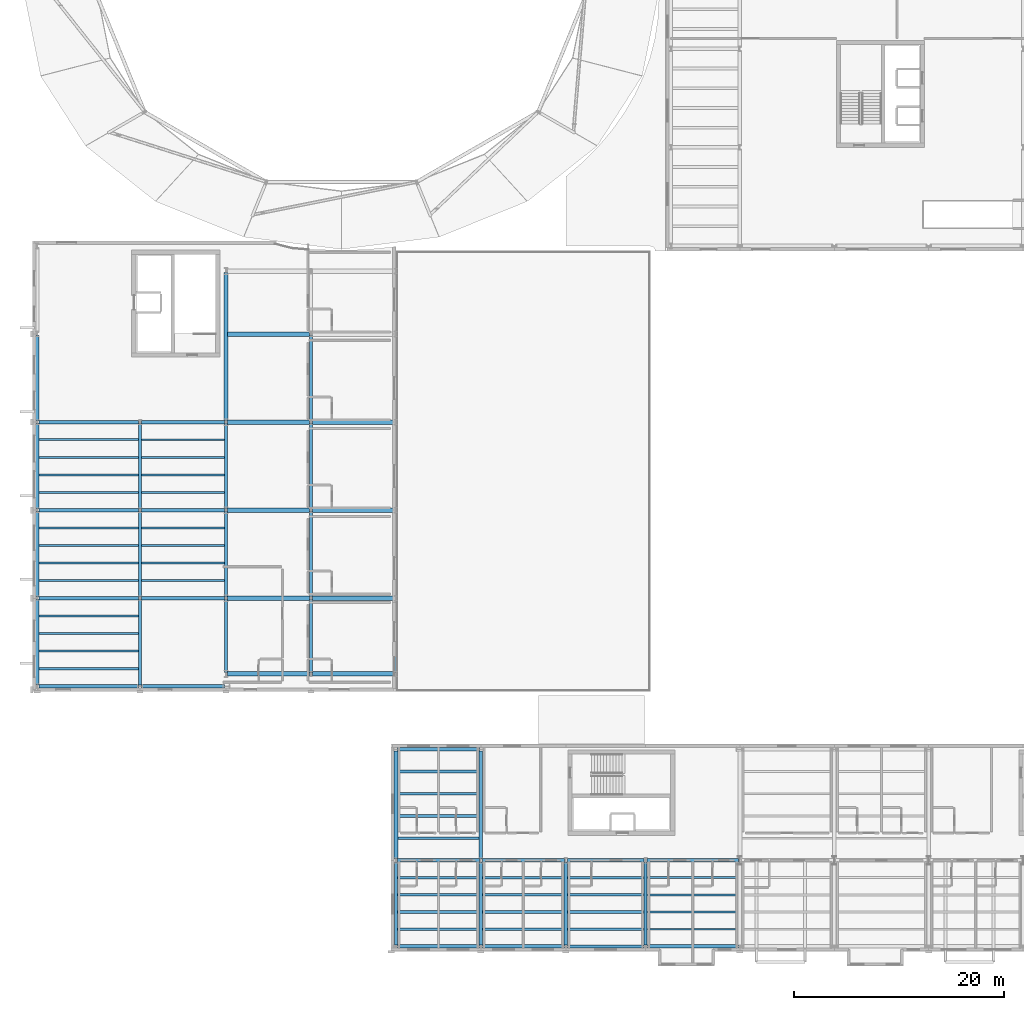
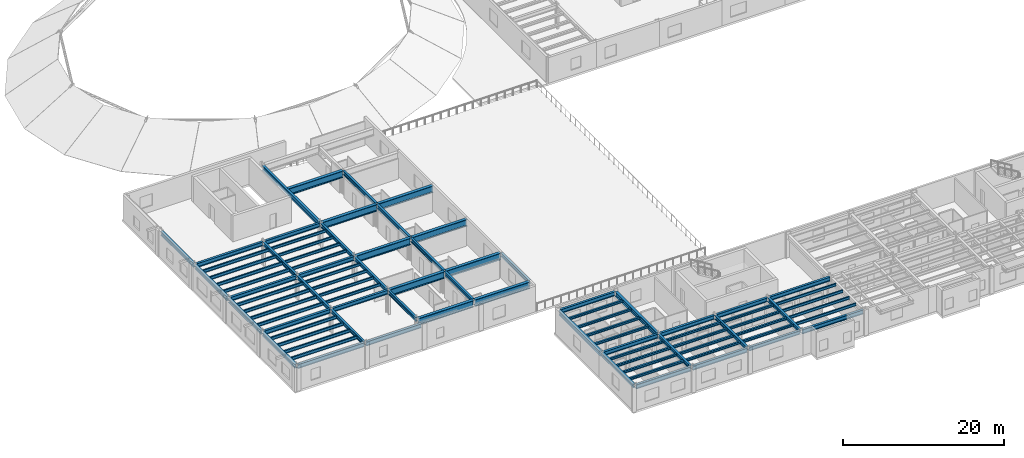
# One storey, part 13 of 59: 88 beams.
"""IFC4 building model written with IfcOpenShell, lengths in metres."""

import ifcopenshell
import ifcopenshell.guid

model = None  # the IFC model being written
_history = None  # IfcOwnerHistory: only IFC2X3 demands one
_inside = {}  # id of a spatial element -> (the spatial element, [elements in it])
_under = {}  # id of a project, library or spatial element -> (it, [spatial elements below it])
_declared = {}  # id of a project -> (the project, [libraries it declares])
_typed = {}  # id of a type object -> (the type object, [elements of that type])
_made_of = {}  # id of a material, layer set ... -> (it, [elements and type objects made of it])


def new_model(schema):
    """Start an empty IFC model of exactly this schema.

    Asked for "IFC4X3", IfcOpenShell would pick the latest addendum, in which some entities
    have other attributes; the version numbers below select the first issue.
    IFC2X3 requires an IfcOwnerHistory on every rooted entity: one is made here for all.
    """
    global model, _history
    if schema == "IFC4X3":
        model = ifcopenshell.file(schema_version=(4, 3, 0, 0))
    else:
        model = ifcopenshell.file(schema=schema)
    _inside.clear()
    _under.clear()
    _declared.clear()
    _typed.clear()
    _made_of.clear()
    _history = None
    if model.schema == "IFC2X3":
        org = make("IfcOrganization", Name="unknown")
        user = make(
            "IfcPersonAndOrganization",
            ThePerson=make("IfcPerson", FamilyName="unknown"),
            TheOrganization=org,
        )
        app = make(
            "IfcApplication",
            ApplicationDeveloper=org,
            Version="unknown",
            ApplicationFullName="unknown",
            ApplicationIdentifier="unknown",
        )
        _history = make(
            "IfcOwnerHistory",
            OwningUser=user,
            OwningApplication=app,
            ChangeAction="ADDED",
            CreationDate=0,
        )
    return model


def make(cls, **values):
    """One entity of the class cls with the attributes given. An attribute that is None is left unset."""
    return model.create_entity(
        cls, **{name: value for name, value in values.items() if value is not None}
    )


def rooted(cls, **values):
    """An entity with a GlobalId (a new one), such as an element, a storey or a relation."""
    return make(cls, GlobalId=ifcopenshell.guid.new(), OwnerHistory=_history, **values)


def si_unit(unit_type, name, prefix=None):
    """IfcSIUnit, for example si_unit("LENGTHUNIT", "METRE", prefix="MILLI")."""
    return make("IfcSIUnit", UnitType=unit_type, Prefix=prefix, Name=name)


def assignment(units):
    """IfcUnitAssignment: the units of a project."""
    return None if units is None else make("IfcUnitAssignment", Units=units)


def point(xyz):
    """IfcCartesianPoint."""
    return None if xyz is None else make("IfcCartesianPoint", Coordinates=xyz)


def direction(xyz):
    """IfcDirection."""
    return None if xyz is None else make("IfcDirection", DirectionRatios=xyz)


def frame(location, z_axis=None, x_axis=None):
    """IfcAxis2Placement3D, a coordinate frame: its origin and axes. An axis left out is left unset."""
    return make(
        "IfcAxis2Placement3D",
        Location=point(location),
        Axis=direction(z_axis),
        RefDirection=direction(x_axis),
    )


def frame_2d(location, x_axis=None):
    """IfcAxis2Placement2D, a coordinate frame in the plane: its origin and x axis."""
    return make(
        "IfcAxis2Placement2D", Location=point(location), RefDirection=direction(x_axis)
    )


def origin():
    """The frame at (0, 0, 0) with its axes left unset."""
    return frame((0.0, 0.0, 0.0))


def origin_2d():
    """The frame at (0, 0) in the plane with its x axis left unset."""
    return frame_2d((0.0, 0.0))


def place(relative_to, where):
    """IfcLocalPlacement: puts the frame where relative to a parent placement (None: the world)."""
    return make(
        "IfcLocalPlacement", PlacementRelTo=relative_to, RelativePlacement=where
    )


def context(
    kind, dimensions, precision=None, world=None, true_north=None, identifier=None
):
    """IfcGeometricRepresentationContext, for example the 3D "Model" context."""
    return make(
        "IfcGeometricRepresentationContext",
        ContextIdentifier=identifier,
        ContextType=kind,
        CoordinateSpaceDimension=dimensions,
        Precision=precision,
        WorldCoordinateSystem=world,
        TrueNorth=true_north,
    )


def subcontext(parent, identifier, kind, view, scale=None):
    """IfcGeometricRepresentationSubContext, for example "Body" below "Model"."""
    return make(
        "IfcGeometricRepresentationSubContext",
        ContextIdentifier=identifier,
        ContextType=kind,
        ParentContext=parent,
        TargetScale=scale,
        TargetView=view,
    )


def project(units=None, contexts=None):
    """IfcProject with its units and contexts."""
    return rooted(
        "IfcProject",
        Name="project",
        RepresentationContexts=contexts,
        UnitsInContext=assignment(units),
    )


def spatial(cls, under=None, at=None, **own):
    """A site, building, storey or space (cls), placed at a placement, below another one or the project."""
    s = rooted(cls, ObjectPlacement=at, **own)
    if under is not None:
        _under.setdefault(under.id(), (under, []))[1].append(s)
    return s


def profile(cls, at=None, kind="AREA", **sizes):
    """A parametric profile (cls). Its sizes go by their IFC names, for example OverallWidth=200.0."""
    return make(cls, ProfileType=kind, Position=at, **sizes)


def i_section(**sizes):
    """IfcIShapeProfileDef."""
    return profile("IfcIShapeProfileDef", **sizes)


def extrude(swept, where, along, depth):
    """IfcExtrudedAreaSolid: the profile swept, set in the frame where, extruded along a direction by depth."""
    return make(
        "IfcExtrudedAreaSolid",
        SweptArea=swept,
        Position=where,
        ExtrudedDirection=direction(along),
        Depth=depth,
    )


def shape(context_of_items, identifier, shape_type, items):
    """IfcShapeRepresentation: the items that make up one representation, for example the "Body"."""
    return make(
        "IfcShapeRepresentation",
        ContextOfItems=context_of_items,
        RepresentationIdentifier=identifier,
        RepresentationType=shape_type,
        Items=items,
    )


def material(Name=None, Category=None):
    """IfcMaterial."""
    return make("IfcMaterial", Name=Name, Category=Category)


def material_profile(
    of_material, cross_section, Name=None, Category=None, Priority=None
):
    """IfcMaterialProfile: a cross section and its material."""
    return make(
        "IfcMaterialProfile",
        Name=Name,
        Material=of_material,
        Profile=cross_section,
        Priority=Priority,
        Category=Category,
    )


def profile_set(profiles, Name=None, composite=None):
    """IfcMaterialProfileSet."""
    return make(
        "IfcMaterialProfileSet",
        Name=Name,
        MaterialProfiles=profiles,
        CompositeProfile=composite,
    )


def made_of(thing, what):
    """Note that an element or type object is made of a material, layer set ...; save() writes the relation."""
    if what is not None:
        _made_of.setdefault(what.id(), (what, []))[1].append(thing)
    return thing


def type_object(cls, material=None, **own):
    """A type object (cls), such as IfcWallType, which elements share."""
    return made_of(rooted(cls, **own), material)


def element(
    cls,
    number,
    at=None,
    inside=None,
    cuts=None,
    type_object=None,
    material=None,
    context=None,
    identifier="Body",
    shape_type=None,
    held_by="IfcProductDefinitionShape",
    body=None,
    shapes=None,
    **own,
):
    """One element of the class cls, such as IfcWall. Its Tag is "e" and its number.

    at: its placement. inside: the storey or other place that contains it. cuts: it is an
    opening in that element (IfcRelVoidsElement). A single representation is given by context,
    identifier, shape_type and body (its items); several are given by shapes. held_by: the class
    of the entity that holds the representations. save() writes the other relations.
    """
    e = rooted(cls, Tag="e%d" % number, ObjectPlacement=at, **own)
    if body is not None:
        shapes = [shape(context, identifier, shape_type, body)]
    if shapes is not None:
        e.Representation = make(held_by, Representations=shapes)
    if inside is not None:
        _inside.setdefault(inside.id(), (inside, []))[1].append(e)
    if cuts is not None:
        rooted(
            "IfcRelVoidsElement", RelatingBuildingElement=cuts, RelatedOpeningElement=e
        )
    if type_object is not None:
        _typed.setdefault(type_object.id(), (type_object, []))[1].append(e)
    return made_of(e, material)


def aggregate(whole, parts):
    """IfcRelAggregates: a whole, such as a stair, and the parts it consists of."""
    return rooted("IfcRelAggregates", RelatingObject=whole, RelatedObjects=parts)


def save(model, path):
    """Write the relations noted so far, then the file.

    IfcRelAggregates (storeys below a building ...), IfcRelContainedInSpatialStructure (elements
    in a storey), IfcRelDefinesByType, IfcRelAssociatesMaterial and IfcRelDeclares: one each for
    every whole, place, type object, material and project.
    """
    for whole, parts in _under.values():
        aggregate(whole, parts)
    for where, things in _inside.values():
        rooted(
            "IfcRelContainedInSpatialStructure",
            RelatedElements=things,
            RelatingStructure=where,
        )
    for kind, things in _typed.values():
        rooted("IfcRelDefinesByType", RelatedObjects=things, RelatingType=kind)
    for what, things in _made_of.values():
        rooted("IfcRelAssociatesMaterial", RelatedObjects=things, RelatingMaterial=what)
    for by, libraries in _declared.values():
        rooted("IfcRelDeclares", RelatingContext=by, RelatedDefinitions=libraries)
    model.write(path)


model = new_model("IFC4")

# Units and contexts
model_context = context("Model", 3, precision=1e-05, world=origin(), true_north=direction((0.0, 1.0)))
body_context = subcontext(model_context, "Body", "Model", "MODEL_VIEW")
ifc_project = project(units=[si_unit("LENGTHUNIT", "METRE"), si_unit("AREAUNIT", "SQUARE_METRE"), si_unit("VOLUMEUNIT", "CUBIC_METRE"), si_unit("PLANEANGLEUNIT", "RADIAN"), si_unit("MASSUNIT", "GRAM", prefix="KILO")], contexts=[model_context])

# Site, building, storey
site_placement = place(None, origin())
site = spatial("IfcSite", under=ifc_project, at=site_placement, CompositionType="ELEMENT")
building_placement = place(site_placement, origin())
building = spatial("IfcBuilding", under=site, at=building_placement, Name="Sollismere Congress Hotel", CompositionType="ELEMENT")
storey_placement = place(building_placement, frame((0.0, 0.0, 15.60009765625)))
storey = spatial("IfcBuildingStorey", under=building, at=storey_placement, Name="L03", CompositionType="ELEMENT", Elevation=15.60009765625)

# Beams
ifc_material = material(Name="Steel ASTM A992 Grade 50", Category="steel")
ifc_material_profile_1 = material_profile(ifc_material, i_section(OverallWidth=0.31494140625, OverallDepth=0.551025390625, WebThickness=0.01513671875, FlangeThickness=0.0244140625, at=origin_2d()), Name="W21X122")
ifc_profile_set_1 = profile_set([ifc_material_profile_1], Name="Steel ASTM A992 Grade 50")
beam_type_1 = type_object("IfcBeamType", Name="BM-G21H", PredefinedType="BEAM", material=ifc_profile_set_1)
beam_1_placement = place(storey_placement, frame((9.800048828125, 24.93994140625, 3.349365234375), z_axis=(0.0, 1.0, 0.0), x_axis=(-1.0, 0.0, 0.0)))
element("IfcBeam", 1, at=beam_1_placement, inside=storey, type_object=beam_type_1, Name="Beam BM-L03-2410", PredefinedType="BEAM", context=body_context, shape_type="SweptSolid", body=[
    extrude(i_section(OverallWidth=0.31494140625, OverallDepth=0.551025390625, WebThickness=0.01513671875, FlangeThickness=0.0244140625, at=origin_2d()), origin(), (0.0, 0.0, 1.0), 8.1201171875),
])
beam_2_placement = place(storey_placement, frame((9.800048828125, 33.340087890625, 3.349365234375), z_axis=(0.0, 1.0, 0.0), x_axis=(-1.0, 0.0, 0.0)))
element("IfcBeam", 2, at=beam_2_placement, inside=storey, type_object=beam_type_1, Name="Beam BM-L03-2411", PredefinedType="BEAM", context=body_context, shape_type="SweptSolid", body=[
    extrude(i_section(OverallWidth=0.31494140625, OverallDepth=0.551025390625, WebThickness=0.01513671875, FlangeThickness=0.0244140625, at=origin_2d()), origin(), (0.0, 0.0, 1.0), 8.119873046875),
])
beam_3_placement = place(storey_placement, frame((9.800048828125, 41.739990234375, 3.349365234375), z_axis=(0.0, 1.0, 0.0), x_axis=(-1.0, 0.0, 0.0)))
element("IfcBeam", 3, at=beam_3_placement, inside=storey, type_object=beam_type_1, Name="Beam BM-L03-2412", PredefinedType="BEAM", context=body_context, shape_type="SweptSolid", body=[
    extrude(i_section(OverallWidth=0.31494140625, OverallDepth=0.551025390625, WebThickness=0.01513671875, FlangeThickness=0.0244140625, at=origin_2d()), origin(), (0.0, 0.0, 1.0), 8.1201171875),
])
beam_4_placement = place(storey_placement, frame((18.0, 26.139892578125, 3.349365234375), z_axis=(0.0, 1.0, 0.0), x_axis=(-1.0, 0.0, 0.0)))
element("IfcBeam", 4, at=beam_4_placement, inside=storey, type_object=beam_type_1, Name="Beam BM-L03-2413", PredefinedType="BEAM", context=body_context, shape_type="SweptSolid", body=[
    extrude(i_section(OverallWidth=0.31494140625, OverallDepth=0.551025390625, WebThickness=0.01513671875, FlangeThickness=0.0244140625, at=origin_2d()), origin(), (0.0, 0.0, 1.0), 6.920166015625),
])
beam_5_placement = place(storey_placement, frame((18.0, 33.340087890625, 3.349365234375), z_axis=(0.0, 1.0, 0.0), x_axis=(-1.0, 0.0, 0.0)))
element("IfcBeam", 5, at=beam_5_placement, inside=storey, type_object=beam_type_1, Name="Beam BM-L03-2414", PredefinedType="BEAM", context=body_context, shape_type="SweptSolid", body=[
    extrude(i_section(OverallWidth=0.31494140625, OverallDepth=0.551025390625, WebThickness=0.01513671875, FlangeThickness=0.0244140625, at=origin_2d()), origin(), (0.0, 0.0, 1.0), 8.119873046875),
])
beam_6_placement = place(storey_placement, frame((18.0, 41.739990234375, 3.349365234375), z_axis=(0.0, 1.0, 0.0), x_axis=(-1.0, 0.0, 0.0)))
element("IfcBeam", 6, at=beam_6_placement, inside=storey, type_object=beam_type_1, Name="Beam BM-L03-2415", PredefinedType="BEAM", context=body_context, shape_type="SweptSolid", body=[
    extrude(i_section(OverallWidth=0.31494140625, OverallDepth=0.551025390625, WebThickness=0.01513671875, FlangeThickness=0.0244140625, at=origin_2d()), origin(), (0.0, 0.0, 1.0), 8.1201171875),
])
for number, where, z_axis, x_axis, name in (
    (7, (34.199951171875, 0.139892578125, 3.349365234375), (0.0, 1.0, 0.0), (-1.0, 0.0, 0.0), "Beam BM-L03-2417"),
    (8, (42.300048828125, 0.139892578125, 3.349365234375), (0.0, 1.0, 0.0), (-1.0, 0.0, 0.0), "Beam BM-L03-2419"),
    (9, (50.39990234375, 0.139892578125, 3.349365234375), (0.0, 1.0, 0.0), (-1.0, 0.0, 0.0), "Beam BM-L03-2421"),
    (10, (58.0, 0.139892578125, 3.349365234375), (0.0, 1.0, 0.0), (-1.0, 0.0, 0.0), "Beam BM-L03-2422"),
):
    element("IfcBeam", number, at=place(storey_placement, frame(where, z_axis=z_axis, x_axis=x_axis)), inside=storey, type_object=beam_type_1, Name=name, PredefinedType="BEAM", context=body_context, shape_type="SweptSolid", body=[
        extrude(i_section(OverallWidth=0.31494140625, OverallDepth=0.551025390625, WebThickness=0.01513671875, FlangeThickness=0.0244140625, at=origin_2d()), origin(), (0.0, 0.0, 1.0), 7.920166015625),
    ])
beam_7_placement = place(storey_placement, frame((26.10009765625, 26.1201171875, 3.349365234375), z_axis=(0.0, 1.0, 0.0), x_axis=(-1.0, 0.0, 0.0)))
element("IfcBeam", 11, at=beam_7_placement, inside=storey, type_object=beam_type_1, Name="Beam BM-L03-4156", PredefinedType="BEAM", context=body_context, shape_type="SweptSolid", body=[
    extrude(i_section(OverallWidth=0.31494140625, OverallDepth=0.551025390625, WebThickness=0.01513671875, FlangeThickness=0.0244140625, at=origin_2d()), origin(), (0.0, 0.0, 1.0), 6.9599609375),
])
for number, where, z_axis, x_axis, name in (
    (12, (26.10009765625, 33.320068359375, 3.349365234375), (0.0, 1.0, 0.0), (-1.0, 0.0, 0.0), "Beam BM-L03-4157"),
    (13, (26.10009765625, 41.719970703125, 3.349365234375), (0.0, 1.0, 0.0), (-1.0, 0.0, 0.0), "Beam BM-L03-4158"),
    (14, (26.10009765625, 50.1201171875, 3.349365234375), (0.0, 1.0, 0.0), (-1.0, 0.0, 0.0), "Beam BM-L03-4159"),
):
    element("IfcBeam", number, at=place(storey_placement, frame(where, z_axis=z_axis, x_axis=x_axis)), inside=storey, type_object=beam_type_1, Name=name, PredefinedType="BEAM", context=body_context, shape_type="SweptSolid", body=[
        extrude(i_section(OverallWidth=0.31494140625, OverallDepth=0.551025390625, WebThickness=0.01513671875, FlangeThickness=0.0244140625, at=origin_2d()), origin(), (0.0, 0.0, 1.0), 8.159912109375),
    ])
beam_8_placement = place(storey_placement, frame((34.199951171875, 26.1201171875, 3.349365234375), z_axis=(0.0, 1.0, 0.0), x_axis=(-1.0, 0.0, 0.0)))
element("IfcBeam", 15, at=beam_8_placement, inside=storey, type_object=beam_type_1, Name="Beam BM-L03-4161", PredefinedType="BEAM", context=body_context, shape_type="SweptSolid", body=[
    extrude(i_section(OverallWidth=0.31494140625, OverallDepth=0.551025390625, WebThickness=0.01513671875, FlangeThickness=0.0244140625, at=origin_2d()), origin(), (0.0, 0.0, 1.0), 6.9599609375),
])
ifc_material_profile_2 = material_profile(ifc_material, i_section(OverallWidth=0.324951171875, OverallDepth=0.612060546875, WebThickness=0.0126953125, FlangeThickness=0.01904296875, at=origin_2d()), Name="W24X104")
ifc_profile_set_2 = profile_set([ifc_material_profile_2], Name="Steel ASTM A992 Grade 50")
beam_type_2 = type_object("IfcBeamType", Name="BM-G24", PredefinedType="BEAM", material=ifc_profile_set_2)
beam_9_placement = place(storey_placement, frame((34.340087890625, 8.199951171875, 3.31884765625), z_axis=(1.0, 0.0, 0.0), x_axis=(0.0, 1.0, 0.0)))
element("IfcBeam", 16, at=beam_9_placement, inside=storey, type_object=beam_type_2, Name="Beam BM-L03-2343", PredefinedType="BEAM", context=body_context, shape_type="SweptSolid", body=[
    extrude(i_section(OverallWidth=0.324951171875, OverallDepth=0.612060546875, WebThickness=0.0126953125, FlangeThickness=0.01904296875, at=origin_2d()), origin(), (0.0, 0.0, 1.0), 7.81982421875),
])
beam_10_placement = place(storey_placement, frame((42.43994140625, 8.199951171875, 3.31884765625), z_axis=(1.0, 0.0, 0.0), x_axis=(0.0, 1.0, 0.0)))
element("IfcBeam", 17, at=beam_10_placement, inside=storey, type_object=beam_type_2, Name="Beam BM-L03-2344", PredefinedType="BEAM", context=body_context, shape_type="SweptSolid", body=[
    extrude(i_section(OverallWidth=0.324951171875, OverallDepth=0.612060546875, WebThickness=0.0126953125, FlangeThickness=0.01904296875, at=origin_2d()), origin(), (0.0, 0.0, 1.0), 7.820068359375),
])
beam_11_placement = place(storey_placement, frame((50.5400390625, 8.199951171875, 3.31884765625), z_axis=(1.0, 0.0, 0.0), x_axis=(0.0, 1.0, 0.0)))
element("IfcBeam", 18, at=beam_11_placement, inside=storey, type_object=beam_type_2, Name="Beam BM-L03-2345", PredefinedType="BEAM", context=body_context, shape_type="SweptSolid", body=[
    extrude(i_section(OverallWidth=0.324951171875, OverallDepth=0.612060546875, WebThickness=0.0126953125, FlangeThickness=0.01904296875, at=origin_2d()), origin(), (0.0, 0.0, 1.0), 7.320068359375),
])
beam_12_placement = place(storey_placement, frame((58.139892578125, 8.199951171875, 3.31884765625), z_axis=(1.0, 0.0, 0.0), x_axis=(0.0, 1.0, 0.0)))
element("IfcBeam", 19, at=beam_12_placement, inside=storey, type_object=beam_type_2, Name="Beam BM-L03-2346", PredefinedType="BEAM", context=body_context, shape_type="SweptSolid", body=[
    extrude(i_section(OverallWidth=0.324951171875, OverallDepth=0.612060546875, WebThickness=0.0126953125, FlangeThickness=0.01904296875, at=origin_2d()), origin(), (0.0, 0.0, 1.0), 8.72021484375),
])
beam_13_placement = place(storey_placement, frame((34.340087890625, 18.800048828125, 3.31884765625), z_axis=(1.0, 0.0, 0.0), x_axis=(0.0, 1.0, 0.0)))
element("IfcBeam", 20, at=beam_13_placement, inside=storey, type_object=beam_type_2, Name="Beam BM-L03-2357", PredefinedType="BEAM", context=body_context, shape_type="SweptSolid", body=[
    extrude(i_section(OverallWidth=0.324951171875, OverallDepth=0.612060546875, WebThickness=0.0126953125, FlangeThickness=0.01904296875, at=origin_2d()), origin(), (0.0, 0.0, 1.0), 7.81982421875),
])
beam_14_placement = place(storey_placement, frame((0.139892578125, 24.800048828125, 3.31884765625), z_axis=(1.0, 0.0, 0.0), x_axis=(0.0, 1.0, 0.0)))
element("IfcBeam", 21, at=beam_14_placement, inside=storey, type_object=beam_type_2, Name="Beam BM-L03-2362", PredefinedType="BEAM", context=body_context, shape_type="SweptSolid", body=[
    extrude(i_section(OverallWidth=0.324951171875, OverallDepth=0.612060546875, WebThickness=0.0126953125, FlangeThickness=0.01904296875, at=origin_2d()), origin(), (0.0, 0.0, 1.0), 9.52001953125),
])
beam_15_placement = place(storey_placement, frame((9.93994140625, 24.800048828125, 3.31884765625), z_axis=(1.0, 0.0, 0.0), x_axis=(0.0, 1.0, 0.0)))
element("IfcBeam", 22, at=beam_15_placement, inside=storey, type_object=beam_type_2, Name="Beam BM-L03-2363", PredefinedType="BEAM", context=body_context, shape_type="SweptSolid", body=[
    extrude(i_section(OverallWidth=0.324951171875, OverallDepth=0.612060546875, WebThickness=0.0126953125, FlangeThickness=0.01904296875, at=origin_2d()), origin(), (0.0, 0.0, 1.0), 7.920166015625),
])
beam_16_placement = place(storey_placement, frame((0.139892578125, 33.199951171875, 3.31884765625), z_axis=(1.0, 0.0, 0.0), x_axis=(0.0, 1.0, 0.0)))
element("IfcBeam", 23, at=beam_16_placement, inside=storey, type_object=beam_type_2, Name="Beam BM-L03-2366", PredefinedType="BEAM", context=body_context, shape_type="SweptSolid", body=[
    extrude(i_section(OverallWidth=0.324951171875, OverallDepth=0.612060546875, WebThickness=0.0126953125, FlangeThickness=0.01904296875, at=origin_2d()), origin(), (0.0, 0.0, 1.0), 9.52001953125),
])
beam_17_placement = place(storey_placement, frame((9.93994140625, 33.199951171875, 3.31884765625), z_axis=(1.0, 0.0, 0.0), x_axis=(0.0, 1.0, 0.0)))
element("IfcBeam", 24, at=beam_17_placement, inside=storey, type_object=beam_type_2, Name="Beam BM-L03-2367", PredefinedType="BEAM", context=body_context, shape_type="SweptSolid", body=[
    extrude(i_section(OverallWidth=0.324951171875, OverallDepth=0.612060546875, WebThickness=0.0126953125, FlangeThickness=0.01904296875, at=origin_2d()), origin(), (0.0, 0.0, 1.0), 7.920166015625),
])
beam_18_placement = place(storey_placement, frame((0.139892578125, 41.60009765625, 3.31884765625), z_axis=(1.0, 0.0, 0.0), x_axis=(0.0, 1.0, 0.0)))
element("IfcBeam", 25, at=beam_18_placement, inside=storey, type_object=beam_type_2, Name="Beam BM-L03-2370", PredefinedType="BEAM", context=body_context, shape_type="SweptSolid", body=[
    extrude(i_section(OverallWidth=0.324951171875, OverallDepth=0.612060546875, WebThickness=0.0126953125, FlangeThickness=0.01904296875, at=origin_2d()), origin(), (0.0, 0.0, 1.0), 9.52001953125),
])
beam_19_placement = place(storey_placement, frame((9.93994140625, 41.60009765625, 3.31884765625), z_axis=(1.0, 0.0, 0.0), x_axis=(0.0, 1.0, 0.0)))
element("IfcBeam", 26, at=beam_19_placement, inside=storey, type_object=beam_type_2, Name="Beam BM-L03-2371", PredefinedType="BEAM", context=body_context, shape_type="SweptSolid", body=[
    extrude(i_section(OverallWidth=0.324951171875, OverallDepth=0.612060546875, WebThickness=0.0126953125, FlangeThickness=0.01904296875, at=origin_2d()), origin(), (0.0, 0.0, 1.0), 7.920166015625),
])
beam_20_placement = place(storey_placement, frame((0.139892578125, 50.0, 3.31884765625), z_axis=(1.0, 0.0, 0.0), x_axis=(0.0, 1.0, 0.0)))
element("IfcBeam", 27, at=beam_20_placement, inside=storey, type_object=beam_type_2, Name="Beam BM-L03-2372", PredefinedType="BEAM", context=body_context, shape_type="SweptSolid", body=[
    extrude(i_section(OverallWidth=0.324951171875, OverallDepth=0.612060546875, WebThickness=0.0126953125, FlangeThickness=0.01904296875, at=origin_2d()), origin(), (0.0, 0.0, 1.0), 9.52001953125),
])
beam_21_placement = place(storey_placement, frame((9.93994140625, 50.0, 3.31884765625), z_axis=(1.0, 0.0, 0.0), x_axis=(0.0, 1.0, 0.0)))
element("IfcBeam", 28, at=beam_21_placement, inside=storey, type_object=beam_type_2, Name="Beam BM-L03-2373", PredefinedType="BEAM", context=body_context, shape_type="SweptSolid", body=[
    extrude(i_section(OverallWidth=0.324951171875, OverallDepth=0.612060546875, WebThickness=0.0126953125, FlangeThickness=0.01904296875, at=origin_2d()), origin(), (0.0, 0.0, 1.0), 7.920166015625),
])
ifc_material_profile_3 = material_profile(ifc_material, i_section(OverallWidth=0.35595703125, OverallDepth=0.696044921875, WebThickness=0.015380859375, FlangeThickness=0.025146484375, at=origin_2d()), Name="W27X146")
ifc_profile_set_3 = profile_set([ifc_material_profile_3], Name="Steel ASTM A992 Grade 50")
beam_type_3 = type_object("IfcBeamType", Name="BM-G27", PredefinedType="BEAM", material=ifc_profile_set_3)
beam_22_placement = place(storey_placement, frame((18.0, 50.139892578125, 3.27685546875), z_axis=(0.0, 1.0, 0.0), x_axis=(-1.0, 0.0, 0.0)))
element("IfcBeam", 29, at=beam_22_placement, inside=storey, type_object=beam_type_3, Name="Beam BM-L03-2416", PredefinedType="BEAM", context=body_context, shape_type="SweptSolid", body=[
    extrude(i_section(OverallWidth=0.35595703125, OverallDepth=0.696044921875, WebThickness=0.015380859375, FlangeThickness=0.025146484375, at=origin_2d()), origin(), (0.0, 0.0, 1.0), 14.1201171875),
])
for number, where, z_axis, x_axis, name in (
    (30, (34.199951171875, 8.340087890625, 3.27685546875), (0.0, 1.0, 0.0), (-1.0, 0.0, 0.0), "Beam BM-L03-2418"),
    (31, (42.300048828125, 8.340087890625, 3.27685546875), (0.0, 1.0, 0.0), (-1.0, 0.0, 0.0), "Beam BM-L03-2420"),
):
    element("IfcBeam", number, at=place(storey_placement, frame(where, z_axis=z_axis, x_axis=x_axis)), inside=storey, type_object=beam_type_3, Name=name, PredefinedType="BEAM", context=body_context, shape_type="SweptSolid", body=[
        extrude(i_section(OverallWidth=0.35595703125, OverallDepth=0.696044921875, WebThickness=0.015380859375, FlangeThickness=0.025146484375, at=origin_2d()), origin(), (0.0, 0.0, 1.0), 10.31982421875),
    ])
ifc_material_profile_4 = material_profile(ifc_material, i_section(OverallWidth=0.25390625, OverallDepth=0.35595703125, WebThickness=0.010498046875, FlangeThickness=0.018310546875, at=origin_2d()), Name="W14X68")
ifc_profile_set_4 = profile_set([ifc_material_profile_4], Name="Steel ASTM A992 Grade 50")
beam_type_4 = type_object("IfcBeamType", Name="BM-J14", PredefinedType="JOIST", material=ifc_profile_set_4)
for number, where, z_axis, x_axis, name in (
    (32, (34.357421875, 1.639892578125, 3.447021484375), (1.0, 0.0, 0.0), (0.0, 1.0, 0.0), "Beam BM-L03-2496"),
    (33, (34.357421875, 3.280029296875, 3.447021484375), (1.0, 0.0, 0.0), (0.0, 1.0, 0.0), "Beam BM-L03-2497"),
    (34, (34.357421875, 4.919921875, 3.447021484375), (1.0, 0.0, 0.0), (0.0, 1.0, 0.0), "Beam BM-L03-2498"),
    (35, (34.357421875, 6.56005859375, 3.447021484375), (1.0, 0.0, 0.0), (0.0, 1.0, 0.0), "Beam BM-L03-2499"),
):
    element("IfcBeam", number, at=place(storey_placement, frame(where, z_axis=z_axis, x_axis=x_axis)), inside=storey, type_object=beam_type_4, Name=name, PredefinedType="JOIST", context=body_context, shape_type="SweptSolid", body=[
        extrude(i_section(OverallWidth=0.25390625, OverallDepth=0.35595703125, WebThickness=0.010498046875, FlangeThickness=0.018310546875, at=origin_2d()), origin(), (0.0, 0.0, 1.0), 7.78515625),
    ])
for number, where, z_axis, x_axis, name in (
    (36, (34.3779296875, 10.320068359375, 3.447021484375), (1.0, 0.0, 0.0), (0.0, 1.0, 0.0), "Beam BM-L03-2500"),
    (37, (34.3779296875, 12.43994140625, 3.447021484375), (1.0, 0.0, 0.0), (0.0, 1.0, 0.0), "Beam BM-L03-2501"),
    (38, (34.3779296875, 14.56005859375, 3.447021484375), (1.0, 0.0, 0.0), (0.0, 1.0, 0.0), "Beam BM-L03-2502"),
    (39, (34.3779296875, 16.679931640625, 3.447021484375), (1.0, 0.0, 0.0), (0.0, 1.0, 0.0), "Beam BM-L03-2503"),
):
    element("IfcBeam", number, at=place(storey_placement, frame(where, z_axis=z_axis, x_axis=x_axis)), inside=storey, type_object=beam_type_4, Name=name, PredefinedType="JOIST", context=body_context, shape_type="SweptSolid", body=[
        extrude(i_section(OverallWidth=0.25390625, OverallDepth=0.35595703125, WebThickness=0.010498046875, FlangeThickness=0.018310546875, at=origin_2d()), origin(), (0.0, 0.0, 1.0), 7.744140625),
    ])
for number, where, z_axis, x_axis, name in (
    (40, (42.45751953125, 1.639892578125, 3.447021484375), (1.0, 0.0, 0.0), (0.0, 1.0, 0.0), "Beam BM-L03-2504"),
    (41, (42.45751953125, 3.280029296875, 3.447021484375), (1.0, 0.0, 0.0), (0.0, 1.0, 0.0), "Beam BM-L03-2505"),
    (42, (42.45751953125, 4.919921875, 3.447021484375), (1.0, 0.0, 0.0), (0.0, 1.0, 0.0), "Beam BM-L03-2506"),
    (43, (42.45751953125, 6.56005859375, 3.447021484375), (1.0, 0.0, 0.0), (0.0, 1.0, 0.0), "Beam BM-L03-2507"),
):
    element("IfcBeam", number, at=place(storey_placement, frame(where, z_axis=z_axis, x_axis=x_axis)), inside=storey, type_object=beam_type_4, Name=name, PredefinedType="JOIST", context=body_context, shape_type="SweptSolid", body=[
        extrude(i_section(OverallWidth=0.25390625, OverallDepth=0.35595703125, WebThickness=0.010498046875, FlangeThickness=0.018310546875, at=origin_2d()), origin(), (0.0, 0.0, 1.0), 7.784912109375),
    ])
for number, where, z_axis, x_axis, name in (
    (44, (50.5576171875, 1.639892578125, 3.447021484375), (1.0, 0.0, 0.0), (0.0, 1.0, 0.0), "Beam BM-L03-2508"),
    (45, (50.5576171875, 3.280029296875, 3.447021484375), (1.0, 0.0, 0.0), (0.0, 1.0, 0.0), "Beam BM-L03-2509"),
    (46, (50.5576171875, 4.919921875, 3.447021484375), (1.0, 0.0, 0.0), (0.0, 1.0, 0.0), "Beam BM-L03-2510"),
    (47, (50.5576171875, 6.56005859375, 3.447021484375), (1.0, 0.0, 0.0), (0.0, 1.0, 0.0), "Beam BM-L03-2511"),
):
    element("IfcBeam", number, at=place(storey_placement, frame(where, z_axis=z_axis, x_axis=x_axis)), inside=storey, type_object=beam_type_4, Name=name, PredefinedType="JOIST", context=body_context, shape_type="SweptSolid", body=[
        extrude(i_section(OverallWidth=0.25390625, OverallDepth=0.35595703125, WebThickness=0.010498046875, FlangeThickness=0.018310546875, at=origin_2d()), origin(), (0.0, 0.0, 1.0), 7.284912109375),
    ])
ifc_material_profile_5 = material_profile(ifc_material, i_section(OverallWidth=0.180908203125, OverallDepth=0.4169921875, WebThickness=0.010986328125, FlangeThickness=0.018310546875, at=origin_2d()), Name="W16X57")
ifc_profile_set_5 = profile_set([ifc_material_profile_5], Name="Steel ASTM A992 Grade 50")
beam_type_5 = type_object("IfcBeamType", Name="BM-J16", PredefinedType="JOIST", material=ifc_profile_set_5)
for number, where, z_axis, x_axis, name in (
    (48, (9.95751953125, 34.8798828125, 3.41650390625), (1.0, 0.0, 0.0), (0.0, 1.0, 0.0), "Beam BM-L03-2488"),
    (49, (9.95751953125, 36.56005859375, 3.41650390625), (1.0, 0.0, 0.0), (0.0, 1.0, 0.0), "Beam BM-L03-2489"),
    (50, (9.95751953125, 38.239990234375, 3.41650390625), (1.0, 0.0, 0.0), (0.0, 1.0, 0.0), "Beam BM-L03-2490"),
    (51, (9.95751953125, 39.919921875, 3.41650390625), (1.0, 0.0, 0.0), (0.0, 1.0, 0.0), "Beam BM-L03-2491"),
    (52, (9.95751953125, 43.280029296875, 3.41650390625), (1.0, 0.0, 0.0), (0.0, 1.0, 0.0), "Beam BM-L03-2492"),
    (53, (9.95751953125, 44.9599609375, 3.41650390625), (1.0, 0.0, 0.0), (0.0, 1.0, 0.0), "Beam BM-L03-2493"),
    (54, (9.95751953125, 46.639892578125, 3.41650390625), (1.0, 0.0, 0.0), (0.0, 1.0, 0.0), "Beam BM-L03-2494"),
    (55, (9.95751953125, 48.320068359375, 3.41650390625), (1.0, 0.0, 0.0), (0.0, 1.0, 0.0), "Beam BM-L03-2495"),
):
    element("IfcBeam", number, at=place(storey_placement, frame(where, z_axis=z_axis, x_axis=x_axis)), inside=storey, type_object=beam_type_5, Name=name, PredefinedType="JOIST", context=body_context, shape_type="SweptSolid", body=[
        extrude(i_section(OverallWidth=0.180908203125, OverallDepth=0.4169921875, WebThickness=0.010986328125, FlangeThickness=0.018310546875, at=origin_2d()), origin(), (0.0, 0.0, 1.0), 7.885009765625),
    ])
for number, where, z_axis, x_axis, name in (
    (56, (58.157470703125, 1.639892578125, 3.41650390625), (1.0, 0.0, 0.0), (0.0, 1.0, 0.0), "Beam BM-L03-2512"),
    (57, (58.157470703125, 3.280029296875, 3.41650390625), (1.0, 0.0, 0.0), (0.0, 1.0, 0.0), "Beam BM-L03-2513"),
    (58, (58.157470703125, 4.919921875, 3.41650390625), (1.0, 0.0, 0.0), (0.0, 1.0, 0.0), "Beam BM-L03-2514"),
    (59, (58.157470703125, 6.56005859375, 3.41650390625), (1.0, 0.0, 0.0), (0.0, 1.0, 0.0), "Beam BM-L03-2515"),
):
    element("IfcBeam", number, at=place(storey_placement, frame(where, z_axis=z_axis, x_axis=x_axis)), inside=storey, type_object=beam_type_5, Name=name, PredefinedType="JOIST", context=body_context, shape_type="SweptSolid", body=[
        extrude(i_section(OverallWidth=0.180908203125, OverallDepth=0.4169921875, WebThickness=0.010986328125, FlangeThickness=0.018310546875, at=origin_2d()), origin(), (0.0, 0.0, 1.0), 8.68505859375),
    ])
ifc_material_profile_6 = material_profile(ifc_material, i_section(OverallWidth=0.193115234375, OverallDepth=0.467041015625, WebThickness=0.011474609375, FlangeThickness=0.01904296875, at=origin_2d()), Name="W18X65")
ifc_profile_set_6 = profile_set([ifc_material_profile_6], Name="Steel ASTM A992 Grade 50")
beam_type_6 = type_object("IfcBeamType", Name="BM-J18", PredefinedType="JOIST", material=ifc_profile_set_6)
for number, where, z_axis, x_axis, name in (
    (60, (0.1650390625, 26.47998046875, 3.391357421875), (1.0, 0.0, 0.0), (0.0, 1.0, 0.0), "Beam BM-L03-2476"),
    (61, (0.1650390625, 28.159912109375, 3.391357421875), (1.0, 0.0, 0.0), (0.0, 1.0, 0.0), "Beam BM-L03-2477"),
    (62, (0.1650390625, 29.840087890625, 3.391357421875), (1.0, 0.0, 0.0), (0.0, 1.0, 0.0), "Beam BM-L03-2478"),
    (63, (0.1650390625, 31.52001953125, 3.391357421875), (1.0, 0.0, 0.0), (0.0, 1.0, 0.0), "Beam BM-L03-2479"),
    (64, (0.1650390625, 34.8798828125, 3.391357421875), (1.0, 0.0, 0.0), (0.0, 1.0, 0.0), "Beam BM-L03-2480"),
    (65, (0.1650390625, 36.56005859375, 3.391357421875), (1.0, 0.0, 0.0), (0.0, 1.0, 0.0), "Beam BM-L03-2481"),
    (66, (0.1650390625, 38.239990234375, 3.391357421875), (1.0, 0.0, 0.0), (0.0, 1.0, 0.0), "Beam BM-L03-2482"),
    (67, (0.1650390625, 39.919921875, 3.391357421875), (1.0, 0.0, 0.0), (0.0, 1.0, 0.0), "Beam BM-L03-2483"),
    (68, (0.1650390625, 43.280029296875, 3.391357421875), (1.0, 0.0, 0.0), (0.0, 1.0, 0.0), "Beam BM-L03-2484"),
    (69, (0.1650390625, 44.9599609375, 3.391357421875), (1.0, 0.0, 0.0), (0.0, 1.0, 0.0), "Beam BM-L03-2485"),
    (70, (0.1650390625, 46.639892578125, 3.391357421875), (1.0, 0.0, 0.0), (0.0, 1.0, 0.0), "Beam BM-L03-2486"),
    (71, (0.1650390625, 48.320068359375, 3.391357421875), (1.0, 0.0, 0.0), (0.0, 1.0, 0.0), "Beam BM-L03-2487"),
):
    element("IfcBeam", number, at=place(storey_placement, frame(where, z_axis=z_axis, x_axis=x_axis)), inside=storey, type_object=beam_type_6, Name=name, PredefinedType="JOIST", context=body_context, shape_type="SweptSolid", body=[
        extrude(i_section(OverallWidth=0.193115234375, OverallDepth=0.467041015625, WebThickness=0.011474609375, FlangeThickness=0.01904296875, at=origin_2d()), origin(), (0.0, 0.0, 1.0), 9.4775390625),
    ])
ifc_material_profile_7 = material_profile(ifc_material, i_section(OverallWidth=0.31494140625, OverallDepth=0.551025390625, WebThickness=0.01513671875, FlangeThickness=0.0244140625, at=origin_2d()), Name="W21X122")
ifc_profile_set_7 = profile_set([ifc_material_profile_7], Name="Steel ASTM A992 Grade 50")
beam_type_7 = type_object("IfcBeamType", Name="BM-SP21E", PredefinedType="SPANDREL", material=ifc_profile_set_7)
beam_23_placement = place(storey_placement, frame((50.5400390625, 0.0, 3.349365234375), z_axis=(1.0, 0.0, 0.0), x_axis=(0.0, 1.0, 0.0)))
element("IfcBeam", 72, at=beam_23_placement, inside=storey, type_object=beam_type_7, Name="Beam BM-L03-2331", PredefinedType="SPANDREL", context=body_context, shape_type="SweptSolid", body=[
    extrude(i_section(OverallWidth=0.31494140625, OverallDepth=0.551025390625, WebThickness=0.01513671875, FlangeThickness=0.0244140625, at=origin_2d()), origin(), (0.0, 0.0, 1.0), 7.320068359375),
])
ifc_material_profile_8 = material_profile(ifc_material, i_section(OverallWidth=0.330078125, OverallDepth=0.635009765625, WebThickness=0.017822265625, FlangeThickness=0.031005859375, at=origin_2d()), Name="W24X162")
ifc_profile_set_8 = profile_set([ifc_material_profile_8], Name="Steel ASTM A992 Grade 50")
beam_type_8 = type_object("IfcBeamType", Name="BM-SP24E", PredefinedType="SPANDREL", material=ifc_profile_set_8)
beam_24_placement = place(storey_placement, frame((34.340087890625, 0.0, 3.307373046875), z_axis=(1.0, 0.0, 0.0), x_axis=(0.0, 1.0, 0.0)))
element("IfcBeam", 73, at=beam_24_placement, inside=storey, type_object=beam_type_8, Name="Beam BM-L03-2329", PredefinedType="SPANDREL", context=body_context, shape_type="SweptSolid", body=[
    extrude(i_section(OverallWidth=0.330078125, OverallDepth=0.635009765625, WebThickness=0.017822265625, FlangeThickness=0.031005859375, at=origin_2d()), origin(), (0.0, 0.0, 1.0), 7.81982421875),
])
beam_25_placement = place(storey_placement, frame((42.43994140625, 0.0, 3.307373046875), z_axis=(1.0, 0.0, 0.0), x_axis=(0.0, 1.0, 0.0)))
element("IfcBeam", 74, at=beam_25_placement, inside=storey, type_object=beam_type_8, Name="Beam BM-L03-2330", PredefinedType="SPANDREL", context=body_context, shape_type="SweptSolid", body=[
    extrude(i_section(OverallWidth=0.330078125, OverallDepth=0.635009765625, WebThickness=0.017822265625, FlangeThickness=0.031005859375, at=origin_2d()), origin(), (0.0, 0.0, 1.0), 7.820068359375),
])
beam_26_placement = place(storey_placement, frame((58.139892578125, 0.0, 3.307373046875), z_axis=(1.0, 0.0, 0.0), x_axis=(0.0, 1.0, 0.0)))
element("IfcBeam", 75, at=beam_26_placement, inside=storey, type_object=beam_type_8, Name="Beam BM-L03-2332", PredefinedType="SPANDREL", context=body_context, shape_type="SweptSolid", body=[
    extrude(i_section(OverallWidth=0.330078125, OverallDepth=0.635009765625, WebThickness=0.017822265625, FlangeThickness=0.031005859375, at=origin_2d()), origin(), (0.0, 0.0, 1.0), 8.72021484375),
])
beam_27_placement = place(storey_placement, frame((0.0, 24.93994140625, 3.307373046875), z_axis=(0.0, 1.0, 0.0), x_axis=(-1.0, 0.0, 0.0)))
element("IfcBeam", 76, at=beam_27_placement, inside=storey, type_object=beam_type_8, Name="Beam BM-L03-2405", PredefinedType="SPANDREL", context=body_context, shape_type="SweptSolid", body=[
    extrude(i_section(OverallWidth=0.330078125, OverallDepth=0.635009765625, WebThickness=0.017822265625, FlangeThickness=0.031005859375, at=origin_2d()), origin(), (0.0, 0.0, 1.0), 8.1201171875),
])
beam_28_placement = place(storey_placement, frame((0.0, 33.340087890625, 3.307373046875), z_axis=(0.0, 1.0, 0.0), x_axis=(-1.0, 0.0, 0.0)))
element("IfcBeam", 77, at=beam_28_placement, inside=storey, type_object=beam_type_8, Name="Beam BM-L03-2406", PredefinedType="SPANDREL", context=body_context, shape_type="SweptSolid", body=[
    extrude(i_section(OverallWidth=0.330078125, OverallDepth=0.635009765625, WebThickness=0.017822265625, FlangeThickness=0.031005859375, at=origin_2d()), origin(), (0.0, 0.0, 1.0), 8.119873046875),
])
for number, where, z_axis, x_axis, name in (
    (78, (0.0, 41.739990234375, 3.307373046875), (0.0, 1.0, 0.0), (-1.0, 0.0, 0.0), "Beam BM-L03-2407"),
    (79, (0.0, 50.139892578125, 3.307373046875), (0.0, 1.0, 0.0), (-1.0, 0.0, 0.0), "Beam BM-L03-2408"),
):
    element("IfcBeam", number, at=place(storey_placement, frame(where, z_axis=z_axis, x_axis=x_axis)), inside=storey, type_object=beam_type_8, Name=name, PredefinedType="SPANDREL", context=body_context, shape_type="SweptSolid", body=[
        extrude(i_section(OverallWidth=0.330078125, OverallDepth=0.635009765625, WebThickness=0.017822265625, FlangeThickness=0.031005859375, at=origin_2d()), origin(), (0.0, 0.0, 1.0), 8.1201171875),
    ])
ifc_material_profile_9 = material_profile(ifc_material, i_section(OverallWidth=0.427001953125, OverallDepth=1.041015625, WebThickness=0.031005859375, FlangeThickness=0.055908203125, at=origin_2d()), Name="W40X397")
ifc_profile_set_9 = profile_set([ifc_material_profile_9], Name="Steel ASTM A992 Grade 50")
beam_type_9 = type_object("IfcBeamType", Name="BM-TG40", PredefinedType="BEAM", material=ifc_profile_set_9)
beam_29_placement = place(storey_placement, frame((18.1201171875, 26.0, 3.1044921875), z_axis=(1.0, 0.0, 0.0), x_axis=(0.0, 1.0, 0.0)))
element("IfcBeam", 80, at=beam_29_placement, inside=storey, type_object=beam_type_9, Name="Transfer truss chord BM-L03-4144", PredefinedType="BEAM", context=body_context, shape_type="SweptSolid", body=[
    extrude(i_section(OverallWidth=0.427001953125, OverallDepth=1.041015625, WebThickness=0.031005859375, FlangeThickness=0.055908203125, at=origin_2d()), origin(), (0.0, 0.0, 1.0), 7.85986328125),
])
beam_30_placement = place(storey_placement, frame((26.219970703125, 26.0, 3.1044921875), z_axis=(1.0, 0.0, 0.0), x_axis=(0.0, 1.0, 0.0)))
element("IfcBeam", 81, at=beam_30_placement, inside=storey, type_object=beam_type_9, Name="Transfer truss chord BM-L03-4145", PredefinedType="BEAM", context=body_context, shape_type="SweptSolid", body=[
    extrude(i_section(OverallWidth=0.427001953125, OverallDepth=1.041015625, WebThickness=0.031005859375, FlangeThickness=0.055908203125, at=origin_2d()), origin(), (0.0, 0.0, 1.0), 7.860107421875),
])
beam_31_placement = place(storey_placement, frame((18.1201171875, 33.199951171875, 3.1044921875), z_axis=(1.0, 0.0, 0.0), x_axis=(0.0, 1.0, 0.0)))
element("IfcBeam", 82, at=beam_31_placement, inside=storey, type_object=beam_type_9, Name="Transfer truss chord BM-L03-4146", PredefinedType="BEAM", context=body_context, shape_type="SweptSolid", body=[
    extrude(i_section(OverallWidth=0.427001953125, OverallDepth=1.041015625, WebThickness=0.031005859375, FlangeThickness=0.055908203125, at=origin_2d()), origin(), (0.0, 0.0, 1.0), 7.85986328125),
])
beam_32_placement = place(storey_placement, frame((26.219970703125, 33.199951171875, 3.1044921875), z_axis=(1.0, 0.0, 0.0), x_axis=(0.0, 1.0, 0.0)))
element("IfcBeam", 83, at=beam_32_placement, inside=storey, type_object=beam_type_9, Name="Transfer truss chord BM-L03-4147", PredefinedType="BEAM", context=body_context, shape_type="SweptSolid", body=[
    extrude(i_section(OverallWidth=0.427001953125, OverallDepth=1.041015625, WebThickness=0.031005859375, FlangeThickness=0.055908203125, at=origin_2d()), origin(), (0.0, 0.0, 1.0), 7.860107421875),
])
beam_33_placement = place(storey_placement, frame((18.1201171875, 41.60009765625, 3.1044921875), z_axis=(1.0, 0.0, 0.0), x_axis=(0.0, 1.0, 0.0)))
element("IfcBeam", 84, at=beam_33_placement, inside=storey, type_object=beam_type_9, Name="Transfer truss chord BM-L03-4148", PredefinedType="BEAM", context=body_context, shape_type="SweptSolid", body=[
    extrude(i_section(OverallWidth=0.427001953125, OverallDepth=1.041015625, WebThickness=0.031005859375, FlangeThickness=0.055908203125, at=origin_2d()), origin(), (0.0, 0.0, 1.0), 7.85986328125),
])
beam_34_placement = place(storey_placement, frame((26.219970703125, 41.60009765625, 3.1044921875), z_axis=(1.0, 0.0, 0.0), x_axis=(0.0, 1.0, 0.0)))
element("IfcBeam", 85, at=beam_34_placement, inside=storey, type_object=beam_type_9, Name="Transfer truss chord BM-L03-4149", PredefinedType="BEAM", context=body_context, shape_type="SweptSolid", body=[
    extrude(i_section(OverallWidth=0.427001953125, OverallDepth=1.041015625, WebThickness=0.031005859375, FlangeThickness=0.055908203125, at=origin_2d()), origin(), (0.0, 0.0, 1.0), 7.860107421875),
])
beam_35_placement = place(storey_placement, frame((18.1201171875, 50.0, 3.1044921875), z_axis=(1.0, 0.0, 0.0), x_axis=(0.0, 1.0, 0.0)))
element("IfcBeam", 86, at=beam_35_placement, inside=storey, type_object=beam_type_9, Name="Transfer truss chord BM-L03-4150", PredefinedType="BEAM", context=body_context, shape_type="SweptSolid", body=[
    extrude(i_section(OverallWidth=0.427001953125, OverallDepth=1.041015625, WebThickness=0.031005859375, FlangeThickness=0.055908203125, at=origin_2d()), origin(), (0.0, 0.0, 1.0), 7.85986328125),
])
beam_36_placement = place(storey_placement, frame((26.219970703125, 50.0, 3.1044921875), z_axis=(1.0, 0.0, 0.0), x_axis=(0.0, 1.0, 0.0)))
element("IfcBeam", 87, at=beam_36_placement, inside=storey, type_object=beam_type_9, Name="Transfer truss chord BM-L03-4151", PredefinedType="BEAM", context=body_context, shape_type="SweptSolid", body=[
    extrude(i_section(OverallWidth=0.427001953125, OverallDepth=1.041015625, WebThickness=0.031005859375, FlangeThickness=0.055908203125, at=origin_2d()), origin(), (0.0, 0.0, 1.0), 7.860107421875),
])
beam_37_placement = place(storey_placement, frame((18.1201171875, 58.39990234375, 3.1044921875), z_axis=(1.0, 0.0, 0.0), x_axis=(0.0, 1.0, 0.0)))
element("IfcBeam", 88, at=beam_37_placement, inside=storey, type_object=beam_type_9, Name="Transfer truss chord BM-L03-4152", PredefinedType="BEAM", context=body_context, shape_type="SweptSolid", body=[
    extrude(i_section(OverallWidth=0.427001953125, OverallDepth=1.041015625, WebThickness=0.031005859375, FlangeThickness=0.055908203125, at=origin_2d()), origin(), (0.0, 0.0, 1.0), 7.85986328125),
])

save(model, "model.ifc")
